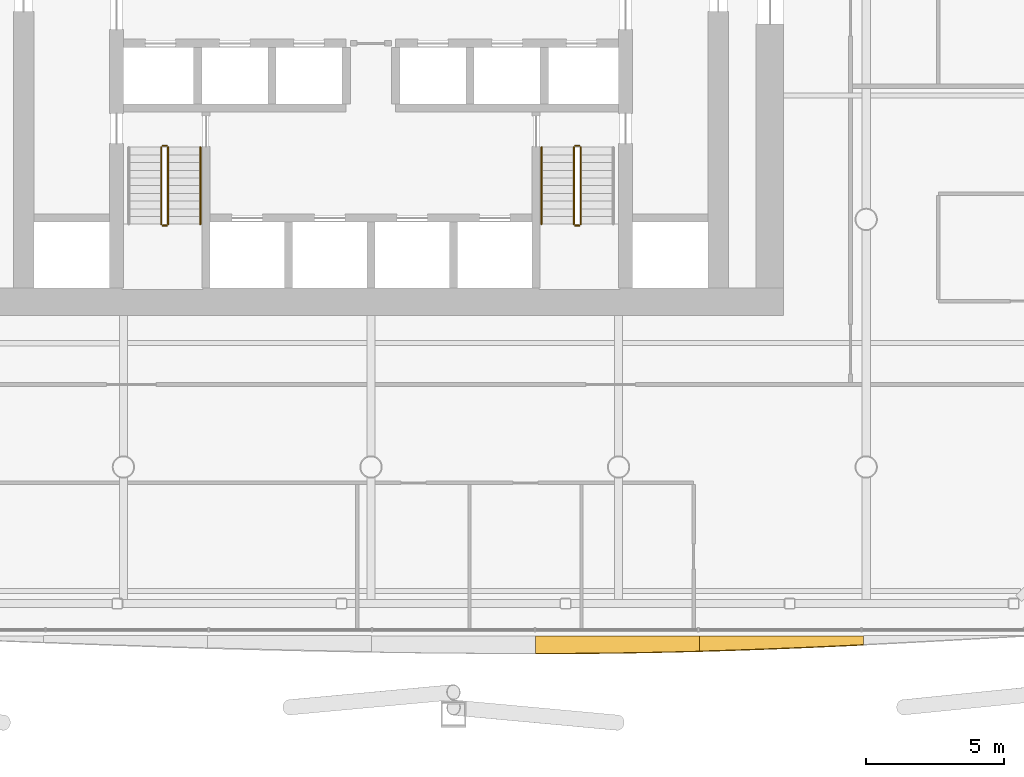
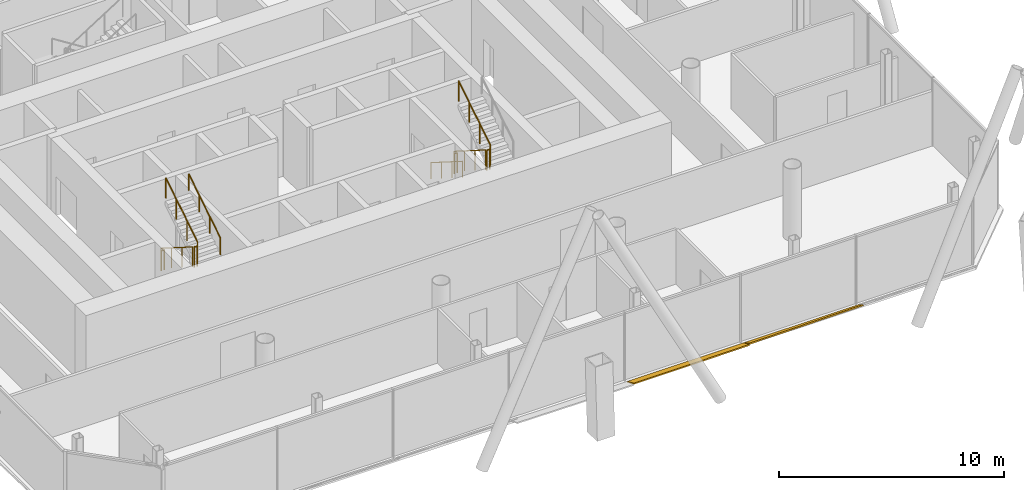
# One storey, part 19 of 22: 10 railings, 2 shading devices.
"""IFC4 building model written with IfcOpenShell, lengths in metres."""

import ifcopenshell
import ifcopenshell.guid

model = None  # the IFC model being written
_history = None  # IfcOwnerHistory: only IFC2X3 demands one
_inside = {}  # id of a spatial element -> (the spatial element, [elements in it])
_under = {}  # id of a project, library or spatial element -> (it, [spatial elements below it])
_declared = {}  # id of a project -> (the project, [libraries it declares])
_typed = {}  # id of a type object -> (the type object, [elements of that type])
_made_of = {}  # id of a material, layer set ... -> (it, [elements and type objects made of it])


def new_model(schema):
    """Start an empty IFC model of exactly this schema.

    Asked for "IFC4X3", IfcOpenShell would pick the latest addendum, in which some entities
    have other attributes; the version numbers below select the first issue.
    IFC2X3 requires an IfcOwnerHistory on every rooted entity: one is made here for all.
    """
    global model, _history
    if schema == "IFC4X3":
        model = ifcopenshell.file(schema_version=(4, 3, 0, 0))
    else:
        model = ifcopenshell.file(schema=schema)
    _inside.clear()
    _under.clear()
    _declared.clear()
    _typed.clear()
    _made_of.clear()
    _history = None
    if model.schema == "IFC2X3":
        org = make("IfcOrganization", Name="unknown")
        user = make(
            "IfcPersonAndOrganization",
            ThePerson=make("IfcPerson", FamilyName="unknown"),
            TheOrganization=org,
        )
        app = make(
            "IfcApplication",
            ApplicationDeveloper=org,
            Version="unknown",
            ApplicationFullName="unknown",
            ApplicationIdentifier="unknown",
        )
        _history = make(
            "IfcOwnerHistory",
            OwningUser=user,
            OwningApplication=app,
            ChangeAction="ADDED",
            CreationDate=0,
        )
    return model


def make(cls, **values):
    """One entity of the class cls with the attributes given. An attribute that is None is left unset."""
    return model.create_entity(
        cls, **{name: value for name, value in values.items() if value is not None}
    )


def rooted(cls, **values):
    """An entity with a GlobalId (a new one), such as an element, a storey or a relation."""
    return make(cls, GlobalId=ifcopenshell.guid.new(), OwnerHistory=_history, **values)


def si_unit(unit_type, name, prefix=None):
    """IfcSIUnit, for example si_unit("LENGTHUNIT", "METRE", prefix="MILLI")."""
    return make("IfcSIUnit", UnitType=unit_type, Prefix=prefix, Name=name)


def assignment(units):
    """IfcUnitAssignment: the units of a project."""
    return None if units is None else make("IfcUnitAssignment", Units=units)


def point(xyz):
    """IfcCartesianPoint."""
    return None if xyz is None else make("IfcCartesianPoint", Coordinates=xyz)


def direction(xyz):
    """IfcDirection."""
    return None if xyz is None else make("IfcDirection", DirectionRatios=xyz)


def frame(location, z_axis=None, x_axis=None):
    """IfcAxis2Placement3D, a coordinate frame: its origin and axes. An axis left out is left unset."""
    return make(
        "IfcAxis2Placement3D",
        Location=point(location),
        Axis=direction(z_axis),
        RefDirection=direction(x_axis),
    )


def frame_2d(location, x_axis=None):
    """IfcAxis2Placement2D, a coordinate frame in the plane: its origin and x axis."""
    return make(
        "IfcAxis2Placement2D", Location=point(location), RefDirection=direction(x_axis)
    )


def origin():
    """The frame at (0, 0, 0) with its axes left unset."""
    return frame((0.0, 0.0, 0.0))


def origin_2d():
    """The frame at (0, 0) in the plane with its x axis left unset."""
    return frame_2d((0.0, 0.0))


def place(relative_to, where):
    """IfcLocalPlacement: puts the frame where relative to a parent placement (None: the world)."""
    return make(
        "IfcLocalPlacement", PlacementRelTo=relative_to, RelativePlacement=where
    )


def context(
    kind, dimensions, precision=None, world=None, true_north=None, identifier=None
):
    """IfcGeometricRepresentationContext, for example the 3D "Model" context."""
    return make(
        "IfcGeometricRepresentationContext",
        ContextIdentifier=identifier,
        ContextType=kind,
        CoordinateSpaceDimension=dimensions,
        Precision=precision,
        WorldCoordinateSystem=world,
        TrueNorth=true_north,
    )


def subcontext(parent, identifier, kind, view, scale=None):
    """IfcGeometricRepresentationSubContext, for example "Body" below "Model"."""
    return make(
        "IfcGeometricRepresentationSubContext",
        ContextIdentifier=identifier,
        ContextType=kind,
        ParentContext=parent,
        TargetScale=scale,
        TargetView=view,
    )


def project(units=None, contexts=None):
    """IfcProject with its units and contexts."""
    return rooted(
        "IfcProject",
        Name="project",
        RepresentationContexts=contexts,
        UnitsInContext=assignment(units),
    )


def spatial(cls, under=None, at=None, **own):
    """A site, building, storey or space (cls), placed at a placement, below another one or the project."""
    s = rooted(cls, ObjectPlacement=at, **own)
    if under is not None:
        _under.setdefault(under.id(), (under, []))[1].append(s)
    return s


def polyline(points):
    """IfcPolyline through the points."""
    return make("IfcPolyline", Points=[point(p) for p in points])


def profile(cls, at=None, kind="AREA", **sizes):
    """A parametric profile (cls). Its sizes go by their IFC names, for example OverallWidth=200.0."""
    return make(cls, ProfileType=kind, Position=at, **sizes)


def circle(**sizes):
    """IfcCircleProfileDef."""
    return profile("IfcCircleProfileDef", **sizes)


def outline(outer, holes=None, kind="AREA"):
    """IfcArbitraryClosedProfileDef: a profile drawn as a closed curve; with holes, ...WithVoids."""
    if holes is None:
        return make("IfcArbitraryClosedProfileDef", ProfileType=kind, OuterCurve=outer)
    return make(
        "IfcArbitraryProfileDefWithVoids",
        ProfileType=kind,
        OuterCurve=outer,
        InnerCurves=holes,
    )


def extrude(swept, where, along, depth):
    """IfcExtrudedAreaSolid: the profile swept, set in the frame where, extruded along a direction by depth."""
    return make(
        "IfcExtrudedAreaSolid",
        SweptArea=swept,
        Position=where,
        ExtrudedDirection=direction(along),
        Depth=depth,
    )


def shape(context_of_items, identifier, shape_type, items):
    """IfcShapeRepresentation: the items that make up one representation, for example the "Body"."""
    return make(
        "IfcShapeRepresentation",
        ContextOfItems=context_of_items,
        RepresentationIdentifier=identifier,
        RepresentationType=shape_type,
        Items=items,
    )


def material(Name=None, Category=None):
    """IfcMaterial."""
    return make("IfcMaterial", Name=Name, Category=Category)


def layer(
    of_material, thickness, ventilated=None, Name=None, Category=None, Priority=None
):
    """IfcMaterialLayer: one layer of a wall or slab, of a material (None: an air gap)."""
    return make(
        "IfcMaterialLayer",
        Material=of_material,
        LayerThickness=thickness,
        IsVentilated=ventilated,
        Name=Name,
        Category=Category,
        Priority=Priority,
    )


def layer_set(layers, Name=None):
    """IfcMaterialLayerSet."""
    return make("IfcMaterialLayerSet", MaterialLayers=layers, LayerSetName=Name)


def made_of(thing, what):
    """Note that an element or type object is made of a material, layer set ...; save() writes the relation."""
    if what is not None:
        _made_of.setdefault(what.id(), (what, []))[1].append(thing)
    return thing


def type_object(cls, material=None, **own):
    """A type object (cls), such as IfcWallType, which elements share."""
    return made_of(rooted(cls, **own), material)


def element(
    cls,
    number,
    at=None,
    inside=None,
    cuts=None,
    type_object=None,
    material=None,
    context=None,
    identifier="Body",
    shape_type=None,
    held_by="IfcProductDefinitionShape",
    body=None,
    shapes=None,
    **own,
):
    """One element of the class cls, such as IfcWall. Its Tag is "e" and its number.

    at: its placement. inside: the storey or other place that contains it. cuts: it is an
    opening in that element (IfcRelVoidsElement). A single representation is given by context,
    identifier, shape_type and body (its items); several are given by shapes. held_by: the class
    of the entity that holds the representations. save() writes the other relations.
    """
    e = rooted(cls, Tag="e%d" % number, ObjectPlacement=at, **own)
    if body is not None:
        shapes = [shape(context, identifier, shape_type, body)]
    if shapes is not None:
        e.Representation = make(held_by, Representations=shapes)
    if inside is not None:
        _inside.setdefault(inside.id(), (inside, []))[1].append(e)
    if cuts is not None:
        rooted(
            "IfcRelVoidsElement", RelatingBuildingElement=cuts, RelatedOpeningElement=e
        )
    if type_object is not None:
        _typed.setdefault(type_object.id(), (type_object, []))[1].append(e)
    return made_of(e, material)


def aggregate(whole, parts):
    """IfcRelAggregates: a whole, such as a stair, and the parts it consists of."""
    return rooted("IfcRelAggregates", RelatingObject=whole, RelatedObjects=parts)


def save(model, path):
    """Write the relations noted so far, then the file.

    IfcRelAggregates (storeys below a building ...), IfcRelContainedInSpatialStructure (elements
    in a storey), IfcRelDefinesByType, IfcRelAssociatesMaterial and IfcRelDeclares: one each for
    every whole, place, type object, material and project.
    """
    for whole, parts in _under.values():
        aggregate(whole, parts)
    for where, things in _inside.values():
        rooted(
            "IfcRelContainedInSpatialStructure",
            RelatedElements=things,
            RelatingStructure=where,
        )
    for kind, things in _typed.values():
        rooted("IfcRelDefinesByType", RelatedObjects=things, RelatingType=kind)
    for what, things in _made_of.values():
        rooted("IfcRelAssociatesMaterial", RelatedObjects=things, RelatingMaterial=what)
    for by, libraries in _declared.values():
        rooted("IfcRelDeclares", RelatingContext=by, RelatedDefinitions=libraries)
    model.write(path)


model = new_model("IFC4")

# Units and contexts
model_context = context("Model", 3, precision=1e-05, world=origin(), true_north=direction((0.0, 1.0)))
body_context = subcontext(model_context, "Body", "Model", "MODEL_VIEW")
ifc_project = project(units=[si_unit("LENGTHUNIT", "METRE"), si_unit("AREAUNIT", "SQUARE_METRE"), si_unit("VOLUMEUNIT", "CUBIC_METRE"), si_unit("PLANEANGLEUNIT", "RADIAN"), si_unit("MASSUNIT", "GRAM", prefix="KILO")], contexts=[model_context])

# Site, building, storey
site_placement = place(None, origin())
site = spatial("IfcSite", under=ifc_project, at=site_placement, CompositionType="ELEMENT")
building_placement = place(site_placement, origin())
building = spatial("IfcBuilding", under=site, at=building_placement, Name="Tskaro Facet Tower", CompositionType="ELEMENT")
storey_placement = place(building_placement, frame((0.0, 0.0, 97.199951171875)))
storey = spatial("IfcBuildingStorey", under=building, at=storey_placement, Name="L23", CompositionType="ELEMENT", Elevation=97.199951171875)

# Shading devices
ifc_material_1 = material(Name="Bronze anodised aluminium 6063-T6", Category="aluminium")
ifc_layer = layer(ifc_material_1, 0.06005859375, Name="Bronze anodised aluminium 6063-T6")
ifc_layer_set = layer_set([ifc_layer], Name="Bronze anodised aluminium 6063-T6")
shading_device_type = type_object("IfcShadingDeviceType", Name="Bronze sun blade (FN1)", PredefinedType="USERDEFINED", material=ifc_layer_set)
shading_device_1_placement = place(storey_placement, frame((5.980224609375, -24.1396484375, 0.054443359375), z_axis=(-7.710242e-06, 0.422526572383, 0.906350536807), x_axis=(0.99999999997, 3.257782e-06, 6.988182e-06)))
element("IfcShadingDevice", 1, at=shading_device_1_placement, inside=storey, type_object=shading_device_type, Name="Fin blade south 5", ObjectType="FIN", PredefinedType="USERDEFINED", context=body_context, shape_type="SweptSolid", body=[
    extrude(outline(polyline([(0.0, 0.0), (5.9602050779478395, -2.524245036782133e-21), (5.960205078566522, -0.6123078459383429), (5.215087890470395, -0.6332810633405177), (4.470214843333077, -0.6518501642580514), (3.725097655789197, -0.6674694388164168), (2.9799804684637476, -0.6801388870156136), (2.2351074227770797, -0.6896372318691102), (1.4899902341823936, -0.6963038714485064), (0.7448730466014954, -0.6997994076822021), (0.2741699217308718, -0.7003451175567295), (-1.359788260837793e-10, -0.7003451175567295), (0.0, 0.0)])), origin(), (0.0, 0.0, -1.0), 0.06005859375),
])
shading_device_2_placement = place(storey_placement, frame((11.9404296875, -24.135009765625, 0.052001953125), z_axis=(-6.657501e-06, 0.49998667655, 0.86603309592), x_axis=(0.999999999978, 3.328662e-06, 5.765616e-06)))
element("IfcShadingDevice", 2, at=shading_device_2_placement, inside=storey, type_object=shading_device_type, Name="Fin blade south 6", ObjectType="FIN", PredefinedType="USERDEFINED", context=body_context, shape_type="SweptSolid", body=[
    extrude(outline(polyline([(0.0, 0.0), (5.9602050779929145, -2.524245036782133e-21), (5.960205078104652, -0.37156286164803914), (5.215332030837747, -0.41268583841517803), (4.470214843598952, -0.4521740108353159), (3.725097655823344, -0.4893603770664117), (2.9802246087308766, -0.524578438029486), (2.235107422696885, -0.5574053260019124), (1.4899902347184586, -0.5878083407255895), (0.7451171876408754, -0.6156981153989114), (-3.808135345660848e-10, -0.6407411491008574), (0.0, 0.0)])), origin(), (0.0, 0.0, -1.0), 0.06005859375),
])

# Railings
ifc_material_2 = material(Name="Stainless steel", Category="steel")
railing_type_1 = type_object("IfcRailingType", Name="RL-GUARD-1100", PredefinedType="GUARDRAIL", material=ifc_material_2)
railing_1_placement = place(storey_placement, frame((-7.625, -6.375, 0.17724609375)))
element("IfcRailing", 3, at=railing_1_placement, inside=storey, type_object=railing_type_1, Name="L23 ST-1 stair guard 1", PredefinedType="GUARDRAIL", context=body_context, shape_type="SweptSolid", body=[
    extrude(circle(Radius=0.02392578125, at=origin_2d()), frame((0.0, 0.0, 1.076171875), z_axis=(0.0, -0.844908973607, 0.534910110503), x_axis=(1.0, 0.0, 0.0)), (0.0, 0.0, 1.0), 3.31396484375),
    extrude(circle(Radius=0.02099609375, at=origin_2d()), origin(), (0.0, 0.0, 1.0), 1.052001953125),
    extrude(circle(Radius=0.02099609375, at=origin_2d()), frame((0.0, -0.933349609375, 0.5908203125)), (0.0, 0.0, 1.0), 1.052001953125),
    extrude(circle(Radius=0.02099609375, at=origin_2d()), frame((0.0, -1.86669921875, 1.181884765625)), (0.0, 0.0, 1.0), 1.052001953125),
    extrude(circle(Radius=0.02099609375, at=origin_2d()), frame((0.0, -2.800048828125, 1.772705078125)), (0.0, 0.0, 1.0), 1.052001953125),
])
railing_2_placement = place(storey_placement, frame((-7.574951171875, -9.22509765625, 1.949951171875)))
element("IfcRailing", 4, at=railing_2_placement, inside=storey, type_object=railing_type_1, Name="L23 ST-1 stair guard 2", PredefinedType="GUARDRAIL", context=body_context, shape_type="SweptSolid", body=[
    extrude(circle(Radius=0.02392578125, at=origin_2d()), frame((0.0, 0.0, 1.076171875), z_axis=(1.0, 0.0, 0.0), x_axis=(0.0, 1.0, 0.0)), (0.0, 0.0, 1.0), 0.14990234375),
    extrude(circle(Radius=0.02099609375, at=origin_2d()), origin(), (0.0, 0.0, 1.0), 1.052001953125),
    extrude(circle(Radius=0.02099609375, at=origin_2d()), frame((0.14990234375, 0.0, 0.0)), (0.0, 0.0, 1.0), 1.052001953125),
])
railing_3_placement = place(storey_placement, frame((-7.375, -9.175048828125, 2.12744140625)))
element("IfcRailing", 5, at=railing_3_placement, inside=storey, type_object=railing_type_1, Name="L23 ST-1 stair guard 3", PredefinedType="GUARDRAIL", context=body_context, shape_type="SweptSolid", body=[
    extrude(circle(Radius=0.02392578125, at=origin_2d()), frame((0.0, 0.0, 1.076171875), z_axis=(0.0, 0.844908973607, 0.534910110503), x_axis=(-1.0, 0.0, 0.0)), (0.0, 0.0, 1.0), 3.31396484375),
    extrude(circle(Radius=0.02099609375, at=origin_2d()), origin(), (0.0, 0.0, 1.0), 1.052001953125),
    extrude(circle(Radius=0.02099609375, at=origin_2d()), frame((0.0, 0.933349609375, 0.5908203125)), (0.0, 0.0, 1.0), 1.052001953125),
    extrude(circle(Radius=0.02099609375, at=origin_2d()), frame((0.0, 1.86669921875, 1.181884765625)), (0.0, 0.0, 1.0), 1.052001953125),
    extrude(circle(Radius=0.02099609375, at=origin_2d()), frame((0.0, 2.800048828125, 1.772705078125)), (0.0, 0.0, 1.0), 1.052001953125),
])
railing_4_placement = place(storey_placement, frame((-7.574951171875, -6.324951171875, 0.0)))
element("IfcRailing", 6, at=railing_4_placement, inside=storey, type_object=railing_type_1, Name="L23 ST-1 stair guard 4", PredefinedType="GUARDRAIL", context=body_context, shape_type="SweptSolid", body=[
    extrude(circle(Radius=0.02392578125, at=origin_2d()), frame((0.0, 0.0, 1.076171875), z_axis=(1.0, 0.0, 0.0), x_axis=(0.0, 1.0, 0.0)), (0.0, 0.0, 1.0), 0.14990234375),
    extrude(circle(Radius=0.02099609375, at=origin_2d()), origin(), (0.0, 0.0, 1.0), 1.052001953125),
    extrude(circle(Radius=0.02099609375, at=origin_2d()), frame((0.14990234375, 0.0, 0.0)), (0.0, 0.0, 1.0), 1.052001953125),
])
railing_5_placement = place(storey_placement, frame((7.375, -6.375, 0.17724609375)))
element("IfcRailing", 7, at=railing_5_placement, inside=storey, type_object=railing_type_1, Name="L23 ST-2 stair guard 1", PredefinedType="GUARDRAIL", context=body_context, shape_type="SweptSolid", body=[
    extrude(circle(Radius=0.02392578125, at=origin_2d()), frame((0.0, 0.0, 1.076171875), z_axis=(0.0, -0.844908973607, 0.534910110503), x_axis=(1.0, 0.0, 0.0)), (0.0, 0.0, 1.0), 3.31396484375),
    extrude(circle(Radius=0.02099609375, at=origin_2d()), origin(), (0.0, 0.0, 1.0), 1.052001953125),
    extrude(circle(Radius=0.02099609375, at=origin_2d()), frame((0.0, -0.933349609375, 0.5908203125)), (0.0, 0.0, 1.0), 1.052001953125),
    extrude(circle(Radius=0.02099609375, at=origin_2d()), frame((0.0, -1.86669921875, 1.181884765625)), (0.0, 0.0, 1.0), 1.052001953125),
    extrude(circle(Radius=0.02099609375, at=origin_2d()), frame((0.0, -2.800048828125, 1.772705078125)), (0.0, 0.0, 1.0), 1.052001953125),
])
railing_6_placement = place(storey_placement, frame((7.425048828125, -9.22509765625, 1.949951171875)))
element("IfcRailing", 8, at=railing_6_placement, inside=storey, type_object=railing_type_1, Name="L23 ST-2 stair guard 2", PredefinedType="GUARDRAIL", context=body_context, shape_type="SweptSolid", body=[
    extrude(circle(Radius=0.02392578125, at=origin_2d()), frame((0.0, 0.0, 1.076171875), z_axis=(1.0, 0.0, 0.0), x_axis=(0.0, 1.0, 0.0)), (0.0, 0.0, 1.0), 0.14990234375),
    extrude(circle(Radius=0.02099609375, at=origin_2d()), origin(), (0.0, 0.0, 1.0), 1.052001953125),
    extrude(circle(Radius=0.02099609375, at=origin_2d()), frame((0.14990234375, 0.0, 0.0)), (0.0, 0.0, 1.0), 1.052001953125),
])
railing_7_placement = place(storey_placement, frame((7.625, -9.175048828125, 2.12744140625)))
element("IfcRailing", 9, at=railing_7_placement, inside=storey, type_object=railing_type_1, Name="L23 ST-2 stair guard 3", PredefinedType="GUARDRAIL", context=body_context, shape_type="SweptSolid", body=[
    extrude(circle(Radius=0.02392578125, at=origin_2d()), frame((0.0, 0.0, 1.076171875), z_axis=(0.0, 0.844908973607, 0.534910110503), x_axis=(-1.0, 0.0, 0.0)), (0.0, 0.0, 1.0), 3.31396484375),
    extrude(circle(Radius=0.02099609375, at=origin_2d()), origin(), (0.0, 0.0, 1.0), 1.052001953125),
    extrude(circle(Radius=0.02099609375, at=origin_2d()), frame((0.0, 0.933349609375, 0.5908203125)), (0.0, 0.0, 1.0), 1.052001953125),
    extrude(circle(Radius=0.02099609375, at=origin_2d()), frame((0.0, 1.86669921875, 1.181884765625)), (0.0, 0.0, 1.0), 1.052001953125),
    extrude(circle(Radius=0.02099609375, at=origin_2d()), frame((0.0, 2.800048828125, 1.772705078125)), (0.0, 0.0, 1.0), 1.052001953125),
])
railing_8_placement = place(storey_placement, frame((7.425048828125, -6.324951171875, 0.0)))
element("IfcRailing", 10, at=railing_8_placement, inside=storey, type_object=railing_type_1, Name="L23 ST-2 stair guard 4", PredefinedType="GUARDRAIL", context=body_context, shape_type="SweptSolid", body=[
    extrude(circle(Radius=0.02392578125, at=origin_2d()), frame((0.0, 0.0, 1.076171875), z_axis=(1.0, 0.0, 0.0), x_axis=(0.0, 1.0, 0.0)), (0.0, 0.0, 1.0), 0.14990234375),
    extrude(circle(Radius=0.02099609375, at=origin_2d()), origin(), (0.0, 0.0, 1.0), 1.052001953125),
    extrude(circle(Radius=0.02099609375, at=origin_2d()), frame((0.14990234375, 0.0, 0.0)), (0.0, 0.0, 1.0), 1.052001953125),
])
railing_type_2 = type_object("IfcRailingType", Name="RL-HANDRAIL-900", PredefinedType="HANDRAIL", material=ifc_material_2)
railing_9_placement = place(storey_placement, frame((-6.199951171875, -9.175048828125, 2.12744140625)))
element("IfcRailing", 11, at=railing_9_placement, inside=storey, type_object=railing_type_2, Name="L23 ST-1 stair handrail 2", PredefinedType="HANDRAIL", context=body_context, shape_type="SweptSolid", body=[
    extrude(circle(Radius=0.02392578125, at=origin_2d()), frame((0.0, 0.0, 0.8759765625), z_axis=(0.0, 0.844908973607, 0.534910110503), x_axis=(-1.0, 0.0, 0.0)), (0.0, 0.0, 1.0), 3.31396484375),
    extrude(circle(Radius=0.02099609375, at=origin_2d()), origin(), (0.0, 0.0, 1.0), 0.851806640625),
    extrude(circle(Radius=0.02099609375, at=origin_2d()), frame((0.0, 0.933349609375, 0.5908203125)), (0.0, 0.0, 1.0), 0.851806640625),
    extrude(circle(Radius=0.02099609375, at=origin_2d()), frame((0.0, 1.86669921875, 1.181884765625)), (0.0, 0.0, 1.0), 0.851806640625),
    extrude(circle(Radius=0.02099609375, at=origin_2d()), frame((0.0, 2.800048828125, 1.772705078125)), (0.0, 0.0, 1.0), 0.851806640625),
])
railing_10_placement = place(storey_placement, frame((6.199951171875, -6.375, 0.17724609375)))
element("IfcRailing", 12, at=railing_10_placement, inside=storey, type_object=railing_type_2, Name="L23 ST-2 stair handrail 1", PredefinedType="HANDRAIL", context=body_context, shape_type="SweptSolid", body=[
    extrude(circle(Radius=0.02392578125, at=origin_2d()), frame((0.0, 0.0, 0.8759765625), z_axis=(0.0, -0.844908973607, 0.534910110503), x_axis=(1.0, 0.0, 0.0)), (0.0, 0.0, 1.0), 3.31396484375),
    extrude(circle(Radius=0.02099609375, at=origin_2d()), origin(), (0.0, 0.0, 1.0), 0.851806640625),
    extrude(circle(Radius=0.02099609375, at=origin_2d()), frame((0.0, -0.933349609375, 0.5908203125)), (0.0, 0.0, 1.0), 0.851806640625),
    extrude(circle(Radius=0.02099609375, at=origin_2d()), frame((0.0, -1.86669921875, 1.181884765625)), (0.0, 0.0, 1.0), 0.851806640625),
    extrude(circle(Radius=0.02099609375, at=origin_2d()), frame((0.0, -2.800048828125, 1.772705078125)), (0.0, 0.0, 1.0), 0.851806640625),
])

save(model, "model.ifc")
